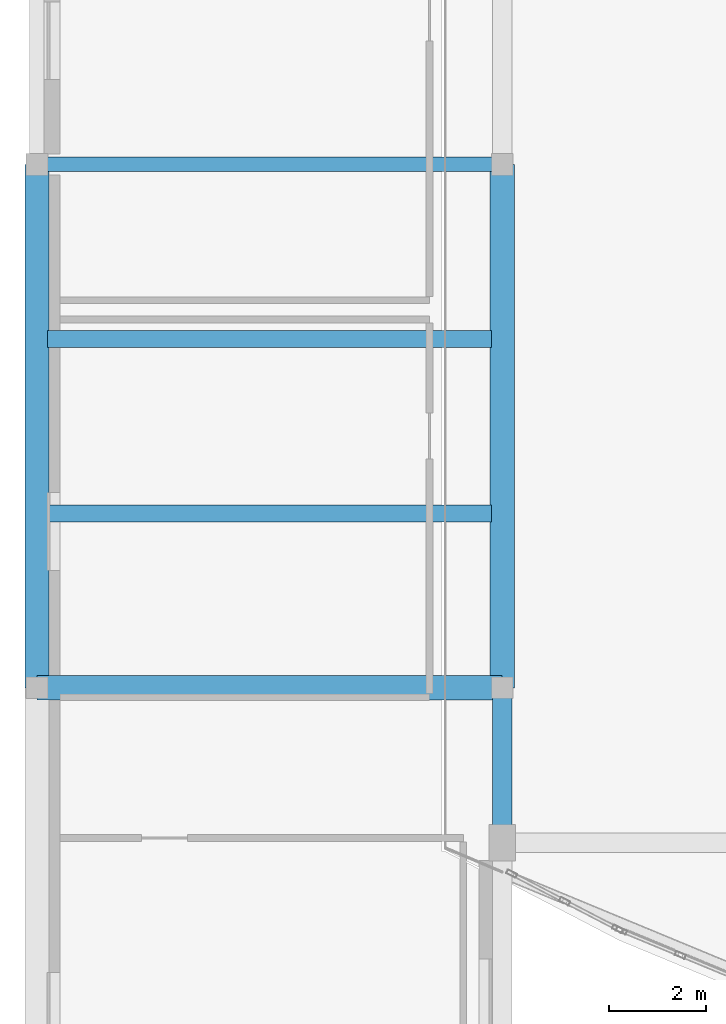
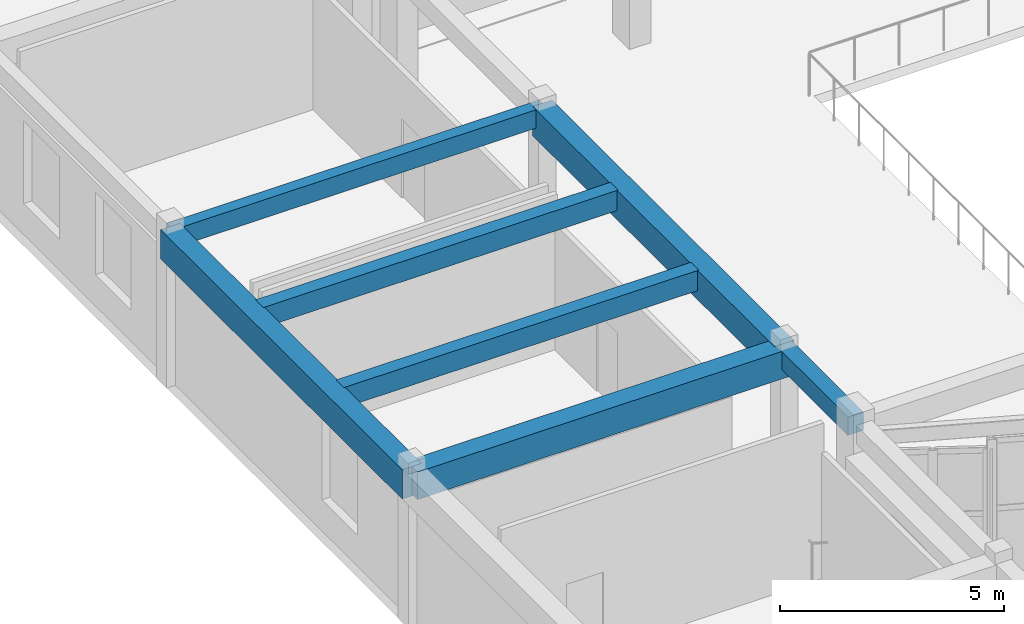
# One storey, part 8 of 92: 7 beams.
"""IFC4 building model written with IfcOpenShell, lengths in metres."""

import ifcopenshell
import ifcopenshell.guid

model = None  # the IFC model being written
_history = None  # IfcOwnerHistory: only IFC2X3 demands one
_inside = {}  # id of a spatial element -> (the spatial element, [elements in it])
_under = {}  # id of a project, library or spatial element -> (it, [spatial elements below it])
_declared = {}  # id of a project -> (the project, [libraries it declares])
_typed = {}  # id of a type object -> (the type object, [elements of that type])
_made_of = {}  # id of a material, layer set ... -> (it, [elements and type objects made of it])


def new_model(schema):
    """Start an empty IFC model of exactly this schema.

    Asked for "IFC4X3", IfcOpenShell would pick the latest addendum, in which some entities
    have other attributes; the version numbers below select the first issue.
    IFC2X3 requires an IfcOwnerHistory on every rooted entity: one is made here for all.
    """
    global model, _history
    if schema == "IFC4X3":
        model = ifcopenshell.file(schema_version=(4, 3, 0, 0))
    else:
        model = ifcopenshell.file(schema=schema)
    _inside.clear()
    _under.clear()
    _declared.clear()
    _typed.clear()
    _made_of.clear()
    _history = None
    if model.schema == "IFC2X3":
        org = make("IfcOrganization", Name="unknown")
        user = make(
            "IfcPersonAndOrganization",
            ThePerson=make("IfcPerson", FamilyName="unknown"),
            TheOrganization=org,
        )
        app = make(
            "IfcApplication",
            ApplicationDeveloper=org,
            Version="unknown",
            ApplicationFullName="unknown",
            ApplicationIdentifier="unknown",
        )
        _history = make(
            "IfcOwnerHistory",
            OwningUser=user,
            OwningApplication=app,
            ChangeAction="ADDED",
            CreationDate=0,
        )
    return model


def make(cls, **values):
    """One entity of the class cls with the attributes given. An attribute that is None is left unset."""
    return model.create_entity(
        cls, **{name: value for name, value in values.items() if value is not None}
    )


def rooted(cls, **values):
    """An entity with a GlobalId (a new one), such as an element, a storey or a relation."""
    return make(cls, GlobalId=ifcopenshell.guid.new(), OwnerHistory=_history, **values)


def si_unit(unit_type, name, prefix=None):
    """IfcSIUnit, for example si_unit("LENGTHUNIT", "METRE", prefix="MILLI")."""
    return make("IfcSIUnit", UnitType=unit_type, Prefix=prefix, Name=name)


def assignment(units):
    """IfcUnitAssignment: the units of a project."""
    return None if units is None else make("IfcUnitAssignment", Units=units)


def point(xyz):
    """IfcCartesianPoint."""
    return None if xyz is None else make("IfcCartesianPoint", Coordinates=xyz)


def direction(xyz):
    """IfcDirection."""
    return None if xyz is None else make("IfcDirection", DirectionRatios=xyz)


def frame(location, z_axis=None, x_axis=None):
    """IfcAxis2Placement3D, a coordinate frame: its origin and axes. An axis left out is left unset."""
    return make(
        "IfcAxis2Placement3D",
        Location=point(location),
        Axis=direction(z_axis),
        RefDirection=direction(x_axis),
    )


def frame_2d(location, x_axis=None):
    """IfcAxis2Placement2D, a coordinate frame in the plane: its origin and x axis."""
    return make(
        "IfcAxis2Placement2D", Location=point(location), RefDirection=direction(x_axis)
    )


def origin():
    """The frame at (0, 0, 0) with its axes left unset."""
    return frame((0.0, 0.0, 0.0))


def origin_2d():
    """The frame at (0, 0) in the plane with its x axis left unset."""
    return frame_2d((0.0, 0.0))


def place(relative_to, where):
    """IfcLocalPlacement: puts the frame where relative to a parent placement (None: the world)."""
    return make(
        "IfcLocalPlacement", PlacementRelTo=relative_to, RelativePlacement=where
    )


def context(
    kind, dimensions, precision=None, world=None, true_north=None, identifier=None
):
    """IfcGeometricRepresentationContext, for example the 3D "Model" context."""
    return make(
        "IfcGeometricRepresentationContext",
        ContextIdentifier=identifier,
        ContextType=kind,
        CoordinateSpaceDimension=dimensions,
        Precision=precision,
        WorldCoordinateSystem=world,
        TrueNorth=true_north,
    )


def subcontext(parent, identifier, kind, view, scale=None):
    """IfcGeometricRepresentationSubContext, for example "Body" below "Model"."""
    return make(
        "IfcGeometricRepresentationSubContext",
        ContextIdentifier=identifier,
        ContextType=kind,
        ParentContext=parent,
        TargetScale=scale,
        TargetView=view,
    )


def project(units=None, contexts=None):
    """IfcProject with its units and contexts."""
    return rooted(
        "IfcProject",
        Name="project",
        RepresentationContexts=contexts,
        UnitsInContext=assignment(units),
    )


def spatial(cls, under=None, at=None, **own):
    """A site, building, storey or space (cls), placed at a placement, below another one or the project."""
    s = rooted(cls, ObjectPlacement=at, **own)
    if under is not None:
        _under.setdefault(under.id(), (under, []))[1].append(s)
    return s


def profile(cls, at=None, kind="AREA", **sizes):
    """A parametric profile (cls). Its sizes go by their IFC names, for example OverallWidth=200.0."""
    return make(cls, ProfileType=kind, Position=at, **sizes)


def rectangle(**sizes):
    """IfcRectangleProfileDef."""
    return profile("IfcRectangleProfileDef", **sizes)


def extrude(swept, where, along, depth):
    """IfcExtrudedAreaSolid: the profile swept, set in the frame where, extruded along a direction by depth."""
    return make(
        "IfcExtrudedAreaSolid",
        SweptArea=swept,
        Position=where,
        ExtrudedDirection=direction(along),
        Depth=depth,
    )


def shape(context_of_items, identifier, shape_type, items):
    """IfcShapeRepresentation: the items that make up one representation, for example the "Body"."""
    return make(
        "IfcShapeRepresentation",
        ContextOfItems=context_of_items,
        RepresentationIdentifier=identifier,
        RepresentationType=shape_type,
        Items=items,
    )


def material(Name=None, Category=None):
    """IfcMaterial."""
    return make("IfcMaterial", Name=Name, Category=Category)


def material_profile(
    of_material, cross_section, Name=None, Category=None, Priority=None
):
    """IfcMaterialProfile: a cross section and its material."""
    return make(
        "IfcMaterialProfile",
        Name=Name,
        Material=of_material,
        Profile=cross_section,
        Priority=Priority,
        Category=Category,
    )


def profile_set(profiles, Name=None, composite=None):
    """IfcMaterialProfileSet."""
    return make(
        "IfcMaterialProfileSet",
        Name=Name,
        MaterialProfiles=profiles,
        CompositeProfile=composite,
    )


def made_of(thing, what):
    """Note that an element or type object is made of a material, layer set ...; save() writes the relation."""
    if what is not None:
        _made_of.setdefault(what.id(), (what, []))[1].append(thing)
    return thing


def type_object(cls, material=None, **own):
    """A type object (cls), such as IfcWallType, which elements share."""
    return made_of(rooted(cls, **own), material)


def element(
    cls,
    number,
    at=None,
    inside=None,
    cuts=None,
    type_object=None,
    material=None,
    context=None,
    identifier="Body",
    shape_type=None,
    held_by="IfcProductDefinitionShape",
    body=None,
    shapes=None,
    **own,
):
    """One element of the class cls, such as IfcWall. Its Tag is "e" and its number.

    at: its placement. inside: the storey or other place that contains it. cuts: it is an
    opening in that element (IfcRelVoidsElement). A single representation is given by context,
    identifier, shape_type and body (its items); several are given by shapes. held_by: the class
    of the entity that holds the representations. save() writes the other relations.
    """
    e = rooted(cls, Tag="e%d" % number, ObjectPlacement=at, **own)
    if body is not None:
        shapes = [shape(context, identifier, shape_type, body)]
    if shapes is not None:
        e.Representation = make(held_by, Representations=shapes)
    if inside is not None:
        _inside.setdefault(inside.id(), (inside, []))[1].append(e)
    if cuts is not None:
        rooted(
            "IfcRelVoidsElement", RelatingBuildingElement=cuts, RelatedOpeningElement=e
        )
    if type_object is not None:
        _typed.setdefault(type_object.id(), (type_object, []))[1].append(e)
    return made_of(e, material)


def aggregate(whole, parts):
    """IfcRelAggregates: a whole, such as a stair, and the parts it consists of."""
    return rooted("IfcRelAggregates", RelatingObject=whole, RelatedObjects=parts)


def save(model, path):
    """Write the relations noted so far, then the file.

    IfcRelAggregates (storeys below a building ...), IfcRelContainedInSpatialStructure (elements
    in a storey), IfcRelDefinesByType, IfcRelAssociatesMaterial and IfcRelDeclares: one each for
    every whole, place, type object, material and project.
    """
    for whole, parts in _under.values():
        aggregate(whole, parts)
    for where, things in _inside.values():
        rooted(
            "IfcRelContainedInSpatialStructure",
            RelatedElements=things,
            RelatingStructure=where,
        )
    for kind, things in _typed.values():
        rooted("IfcRelDefinesByType", RelatedObjects=things, RelatingType=kind)
    for what, things in _made_of.values():
        rooted("IfcRelAssociatesMaterial", RelatedObjects=things, RelatingMaterial=what)
    for by, libraries in _declared.values():
        rooted("IfcRelDeclares", RelatingContext=by, RelatedDefinitions=libraries)
    model.write(path)


model = new_model("IFC4")

# Units and contexts
model_context = context("Model", 3, precision=1e-05, world=origin(), true_north=direction((0.0, 1.0)))
body_context = subcontext(model_context, "Body", "Model", "MODEL_VIEW")
ifc_project = project(units=[si_unit("LENGTHUNIT", "METRE"), si_unit("AREAUNIT", "SQUARE_METRE"), si_unit("VOLUMEUNIT", "CUBIC_METRE"), si_unit("PLANEANGLEUNIT", "RADIAN"), si_unit("MASSUNIT", "GRAM", prefix="KILO")], contexts=[model_context])

# Site, building, storey
site_placement = place(None, origin())
site = spatial("IfcSite", under=ifc_project, at=site_placement, CompositionType="ELEMENT")
building_placement = place(site_placement, origin())
building = spatial("IfcBuilding", under=site, at=building_placement, Name="Tarnavel Promenade Courthouse", CompositionType="ELEMENT")
storey_placement = place(building_placement, frame((0.0, 0.0, 5.39990234375)))
storey = spatial("IfcBuildingStorey", under=building, at=storey_placement, Name="L02", CompositionType="ELEMENT", Elevation=5.39990234375)

# Beams
ifc_material = material(Name="Concrete C40/50", Category="concrete")
ifc_material_profile_1 = material_profile(ifc_material, rectangle(XDim=0.35009765625, YDim=0.550048828125, at=origin_2d()), Name="PT 350x550")
ifc_profile_set_1 = profile_set([ifc_material_profile_1], Name="Concrete C40/50")
beam_type_1 = type_object("IfcBeamType", Name="Concrete C40/50 BM-PT-350x550 (PT 350x550)", PredefinedType="JOIST", material=ifc_profile_set_1)
for number, where, z_axis, x_axis, name in (
    (1, (0.219970703125, 21.60009765625, 3.920166015625), (1.0, 0.0, 0.0), (0.0, 1.0, 0.0), "L02 Secondary Floor Rib 1365"),
    (2, (0.219970703125, 25.199951171875, 3.920166015625), (1.0, 0.0, 0.0), (0.0, 1.0, 0.0), "L02 Secondary Floor Rib 1366"),
):
    element("IfcBeam", number, at=place(storey_placement, frame(where, z_axis=z_axis, x_axis=x_axis)), inside=storey, type_object=beam_type_1, Name=name, PredefinedType="JOIST", context=body_context, shape_type="SweptSolid", body=[
        extrude(rectangle(XDim=0.35009765625, YDim=0.550048828125, at=origin_2d()), origin(), (0.0, 0.0, 1.0), 9.159912109375),
    ])
ifc_material_profile_2 = material_profile(ifc_material, rectangle(XDim=0.5, YDim=0.800048828125, at=origin_2d()), Name="PT 500x800")
ifc_profile_set_2 = profile_set([ifc_material_profile_2], Name="Concrete C40/50")
beam_type_2 = type_object("IfcBeamType", Name="Concrete C40/50 BM-PT-500x800 (PT 500x800)", PredefinedType="T_BEAM", material=ifc_profile_set_2)
for number, where, z_axis, x_axis, name in (
    (3, (0.0, 18.0, 3.795166015625), (0.0, 1.0, 0.0), (-1.0, 0.0, 0.0), "L02 Transverse Girder 1227"),
    (4, (9.60009765625, 18.0, 3.795166015625), (0.0, 1.0, 0.0), (-1.0, 0.0, 0.0), "L02 Transverse Girder 1239"),
):
    element("IfcBeam", number, at=place(storey_placement, frame(where, z_axis=z_axis, x_axis=x_axis)), inside=storey, type_object=beam_type_2, Name=name, PredefinedType="T_BEAM", context=body_context, shape_type="SweptSolid", body=[
        extrude(rectangle(XDim=0.5, YDim=0.800048828125, at=origin_2d()), origin(), (0.0, 0.0, 1.0), 10.800048828125),
    ])
ifc_material_profile_3 = material_profile(ifc_material, rectangle(XDim=0.39990234375, YDim=0.5, at=origin_2d()), Name="RC 400x500")
ifc_profile_set_3 = profile_set([ifc_material_profile_3], Name="Concrete C40/50")
beam_type_3 = type_object("IfcBeamType", Name="Concrete C40/50 BM-RC-400x500 (RC 400x500)", PredefinedType="BEAM", material=ifc_profile_set_3)
beam_1_placement = place(storey_placement, frame((9.60009765625, 14.800048828125, 3.945068359375), z_axis=(0.0, 1.0, 0.0), x_axis=(-1.0, 0.0, 0.0)))
element("IfcBeam", 5, at=beam_1_placement, inside=storey, type_object=beam_type_3, Name="L02 Transverse Girder 1238", PredefinedType="BEAM", context=body_context, shape_type="SweptSolid", body=[
    extrude(rectangle(XDim=0.39990234375, YDim=0.5, at=origin_2d()), origin(), (0.0, 0.0, 1.0), 3.199951171875),
])
ifc_material_profile_4 = material_profile(ifc_material, rectangle(XDim=0.5, YDim=0.75, at=origin_2d()), Name="RC 500x750")
ifc_profile_set_4 = profile_set([ifc_material_profile_4], Name="Concrete C40/50")
beam_type_4 = type_object("IfcBeamType", Name="Concrete C40/50 BM-RC-500x750 (RC 500x750)", PredefinedType="T_BEAM", material=ifc_profile_set_4)
beam_2_placement = place(storey_placement, frame((0.0, 18.0, 3.820068359375), z_axis=(1.0, 0.0, 0.0), x_axis=(0.0, 1.0, 0.0)))
element("IfcBeam", 6, at=beam_2_placement, inside=storey, type_object=beam_type_4, Name="L02 Primary Longitudinal Beam 1079", PredefinedType="T_BEAM", context=body_context, shape_type="SweptSolid", body=[
    extrude(rectangle(XDim=0.5, YDim=0.75, at=origin_2d()), origin(), (0.0, 0.0, 1.0), 9.60009765625),
])
ifc_material_profile_5 = material_profile(ifc_material, rectangle(XDim=0.300048828125, YDim=0.5, at=origin_2d()), Name="RC 300x500")
ifc_profile_set_5 = profile_set([ifc_material_profile_5], Name="Concrete C40/50")
beam_type_5 = type_object("IfcBeamType", Name="Concrete C40/50 BM-SP-300x500 (RC 300x500)", PredefinedType="SPANDREL", material=ifc_profile_set_5)
beam_3_placement = place(storey_placement, frame((0.0, 28.800048828125, 3.945068359375), z_axis=(1.0, 0.0, 0.0), x_axis=(0.0, 1.0, 0.0)))
element("IfcBeam", 7, at=beam_3_placement, inside=storey, type_object=beam_type_5, Name="L02 Primary Longitudinal Beam 1080", PredefinedType="SPANDREL", context=body_context, shape_type="SweptSolid", body=[
    extrude(rectangle(XDim=0.300048828125, YDim=0.5, at=origin_2d()), origin(), (0.0, 0.0, 1.0), 9.60009765625),
])

save(model, "model.ifc")
